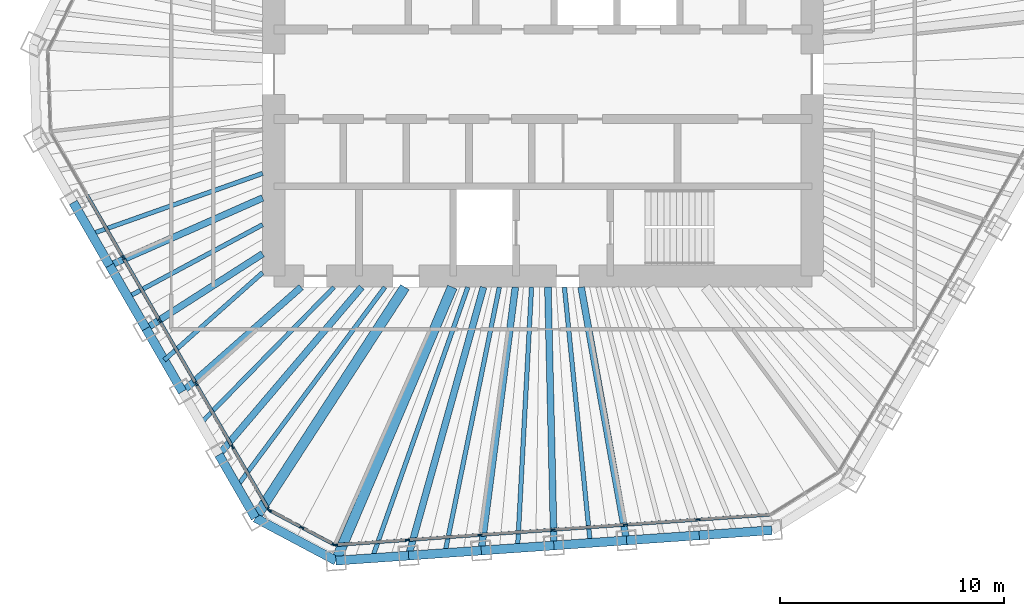
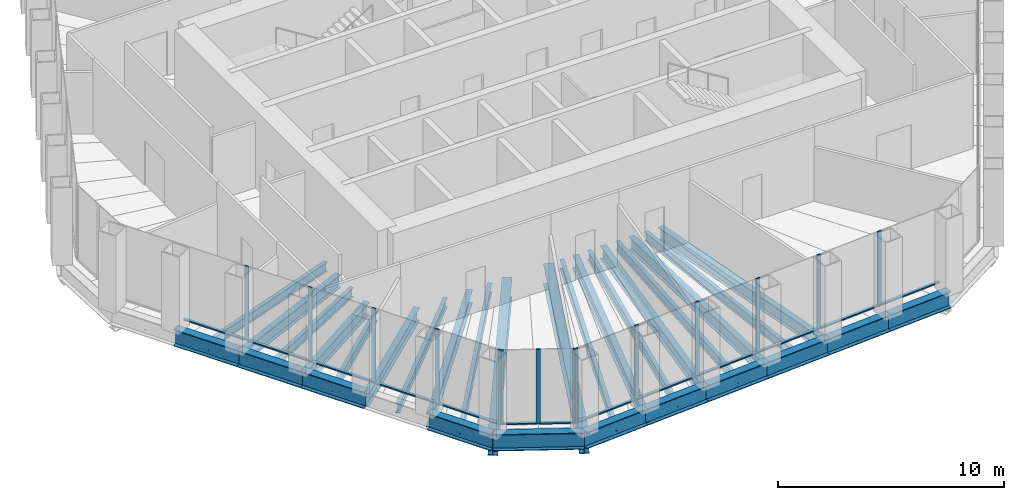
# One storey, part 2 of 14: 30 beams, 27 members, 3 elements without a shape of their own.
"""IFC4 building model written with IfcOpenShell, lengths in metres."""

from ifc_helpers import new_model, si_unit, direction, frame, origin, origin_2d, place, context, subcontext, project, spatial, rectangle, i_section, extrude, material, material_profile, profile_set, type_object, element, aggregate, save


model = new_model("IFC4")

# Units and contexts
model_context = context("Model", 3, precision=1e-05, world=origin(), true_north=direction((0.0, 1.0)))
body_context = subcontext(model_context, "Body", "Model", "MODEL_VIEW")
ifc_project = project(units=[si_unit("LENGTHUNIT", "METRE"), si_unit("AREAUNIT", "SQUARE_METRE"), si_unit("VOLUMEUNIT", "CUBIC_METRE"), si_unit("PLANEANGLEUNIT", "RADIAN"), si_unit("MASSUNIT", "GRAM", prefix="KILO")], contexts=[model_context])

# Site, building, storey
site_placement = place(None, origin())
site = spatial("IfcSite", under=ifc_project, at=site_placement, CompositionType="ELEMENT")
building_placement = place(site_placement, origin())
building = spatial("IfcBuilding", under=site, at=building_placement, Name="Qingtian Harvest Tower", CompositionType="ELEMENT")
storey_placement = place(building_placement, frame((0.0, 0.0, 278.800048828125)))
storey = spatial("IfcBuildingStorey", under=building, at=storey_placement, Name="L61", CompositionType="ELEMENT", Elevation=278.800048828125)

# Beams
ifc_material_1 = material(Name="Steel SM570MC", Category="steel")
ifc_material_profile_1 = material_profile(ifc_material_1, i_section(OverallWidth=0.449951171875, OverallDepth=1.10009765625, WebThickness=0.02197265625, FlangeThickness=0.044921875, at=origin_2d()), Name="H1100x450x22x45")
ifc_profile_set_1 = profile_set([ifc_material_profile_1], Name="Steel SM570MC")
beam_type_1 = type_object("IfcBeamType", Name="Corner floor beam FB8 H1100x450x22x45", PredefinedType="BEAM", material=ifc_profile_set_1)
beam_1_placement = place(storey_placement, frame((-9.231201171875, -21.69677734375, -0.719970703125), z_axis=(0.391497096334, 0.920179343151, 0.0), x_axis=(-0.920179343151, 0.391497096334, 0.0)))
element("IfcBeam", 1, at=beam_1_placement, inside=storey, type_object=beam_type_1, Name="Floor beam FB8 S6", PredefinedType="BEAM", context=body_context, shape_type="SweptSolid", body=[
    extrude(i_section(OverallWidth=0.449951171875, OverallDepth=1.10009765625, WebThickness=0.02197265625, FlangeThickness=0.044921875, at=origin_2d()), origin(), (0.0, 0.0, 1.0), 13.2548828125),
])
beam_2_placement = place(storey_placement, frame((-12.825439453125, -19.78564453125, -0.719970703125), z_axis=(0.543944801957, 0.83912099987, 0.0), x_axis=(-0.83912099987, 0.543944801957, 0.0)))
element("IfcBeam", 2, at=beam_2_placement, inside=storey, type_object=beam_type_1, Name="Floor beam FB8 SW0", PredefinedType="BEAM", context=body_context, shape_type="SweptSolid", body=[
    extrude(i_section(OverallWidth=0.449951171875, OverallDepth=1.10009765625, WebThickness=0.02197265625, FlangeThickness=0.044921875, at=origin_2d()), origin(), (0.0, 0.0, 1.0), 12.257568359375),
])
ifc_material_2 = material(Name="Steel SN490B", Category="steel")
ifc_material_profile_2 = material_profile(ifc_material_2, i_section(OverallWidth=0.300048828125, OverallDepth=0.699951171875, WebThickness=0.012939453125, FlangeThickness=0.02392578125, at=origin_2d()), Name="H700x300x13x24")
ifc_profile_set_2 = profile_set([ifc_material_profile_2], Name="Steel SN490B")
beam_type_2 = type_object("IfcBeamType", Name="Floor beam FB4 H700x300x13x24", PredefinedType="BEAM", material=ifc_profile_set_2)
beam_3_placement = place(storey_placement, frame((3.729248046875, -20.79052734375, -0.52001953125), z_axis=(-0.176549332285, 0.984291792747, 0.0), x_axis=(-0.984291792747, -0.176549332285, 0.0)))
element("IfcBeam", 3, at=beam_3_placement, inside=storey, type_object=beam_type_2, Name="Floor beam FB4 S2", PredefinedType="BEAM", context=body_context, shape_type="SweptSolid", body=[
    extrude(i_section(OverallWidth=0.300048828125, OverallDepth=0.699951171875, WebThickness=0.012939453125, FlangeThickness=0.02392578125, at=origin_2d()), origin(), (0.0, 0.0, 1.0), 11.470703125),
])
beam_4_placement = place(storey_placement, frame((0.489013671875, -21.01708984375, -0.52001953125), z_axis=(-0.023248050009, 0.999729727562, 0.0), x_axis=(-0.999729727562, -0.023248050009, 0.0)))
element("IfcBeam", 4, at=beam_4_placement, inside=storey, type_object=beam_type_2, Name="Floor beam FB4 S3", PredefinedType="BEAM", context=body_context, shape_type="SweptSolid", body=[
    extrude(i_section(OverallWidth=0.300048828125, OverallDepth=0.699951171875, WebThickness=0.012939453125, FlangeThickness=0.02392578125, at=origin_2d()), origin(), (0.0, 0.0, 1.0), 11.520263671875),
])
beam_5_placement = place(storey_placement, frame((-2.7509765625, -21.24365234375, -0.52001953125), z_axis=(0.128423358095, 0.991719436683, 0.0), x_axis=(-0.991719436683, 0.128423358095, 0.0)))
element("IfcBeam", 5, at=beam_5_placement, inside=storey, type_object=beam_type_2, Name="Floor beam FB4 S4", PredefinedType="BEAM", context=body_context, shape_type="SweptSolid", body=[
    extrude(i_section(OverallWidth=0.300048828125, OverallDepth=0.699951171875, WebThickness=0.012939453125, FlangeThickness=0.02392578125, at=origin_2d()), origin(), (0.0, 0.0, 1.0), 11.841796875),
])
beam_6_placement = place(storey_placement, frame((-5.9912109375, -21.47021484375, -0.52001953125), z_axis=(0.268784556761, 0.963200322906, 0.0), x_axis=(-0.963200322906, 0.268784556761, 0.0)))
element("IfcBeam", 6, at=beam_6_placement, inside=storey, type_object=beam_type_2, Name="Floor beam FB4 S5", PredefinedType="BEAM", context=body_context, shape_type="SweptSolid", body=[
    extrude(i_section(OverallWidth=0.300048828125, OverallDepth=0.699951171875, WebThickness=0.012939453125, FlangeThickness=0.02392578125, at=origin_2d()), origin(), (0.0, 0.0, 1.0), 12.427490234375),
])
beam_7_placement = place(storey_placement, frame((-14.449462890625, -16.972900390625, -0.52001953125), z_axis=(0.64823096823, 0.761443768001, 0.0), x_axis=(-0.761443768001, 0.64823096823, 0.0)))
element("IfcBeam", 7, at=beam_7_placement, inside=storey, type_object=beam_type_2, Name="Floor beam FB4 SW1", PredefinedType="BEAM", context=body_context, shape_type="SweptSolid", body=[
    extrude(i_section(OverallWidth=0.300048828125, OverallDepth=0.699951171875, WebThickness=0.012939453125, FlangeThickness=0.02392578125, at=origin_2d()), origin(), (0.0, 0.0, 1.0), 9.814208984375),
])
beam_8_placement = place(storey_placement, frame((-16.073486328125, -14.159912109375, -0.52001953125), z_axis=(0.75036921961, 0.661018936387, 0.0), x_axis=(-0.661018936387, 0.75036921961, 0.0)))
element("IfcBeam", 8, at=beam_8_placement, inside=storey, type_object=beam_type_2, Name="Floor beam FB4 SW2", PredefinedType="BEAM", context=body_context, shape_type="SweptSolid", body=[
    extrude(i_section(OverallWidth=0.300048828125, OverallDepth=0.699951171875, WebThickness=0.012939453125, FlangeThickness=0.02392578125, at=origin_2d()), origin(), (0.0, 0.0, 1.0), 7.049560546875),
])
beam_9_placement = place(storey_placement, frame((-17.697509765625, -11.34716796875, -0.52001953125), z_axis=(0.841821552392, 0.539755939225, 0.0), x_axis=(-0.539755939225, 0.841821552392, 0.0)))
element("IfcBeam", 9, at=beam_9_placement, inside=storey, type_object=beam_type_2, Name="Floor beam FB4 SW3", PredefinedType="BEAM", context=body_context, shape_type="SweptSolid", body=[
    extrude(i_section(OverallWidth=0.300048828125, OverallDepth=0.699951171875, WebThickness=0.012939453125, FlangeThickness=0.02392578125, at=origin_2d()), origin(), (0.0, 0.0, 1.0), 6.174072265625),
])
beam_10_placement = place(storey_placement, frame((-19.321533203125, -8.5341796875, -0.52001953125), z_axis=(0.914747389649, 0.404026253021, 0.0), x_axis=(-0.404026253021, 0.914747389649, 0.0)))
element("IfcBeam", 10, at=beam_10_placement, inside=storey, type_object=beam_type_2, Name="Floor beam FB4 SW4", PredefinedType="BEAM", context=body_context, shape_type="SweptSolid", body=[
    extrude(i_section(OverallWidth=0.300048828125, OverallDepth=0.699951171875, WebThickness=0.012939453125, FlangeThickness=0.02392578125, at=origin_2d()), origin(), (0.0, 0.0, 1.0), 7.457275390625),
])
ifc_material_3 = material(Name="Steel SN490B", Category="steel")
ifc_material_profile_3 = material_profile(ifc_material_3, i_section(OverallWidth=0.199951171875, OverallDepth=0.5, WebThickness=0.010009765625, FlangeThickness=0.01611328125, at=origin_2d()), Name="H500x200x10x16")
ifc_profile_set_3 = profile_set([ifc_material_profile_3], Name="Steel SN490B")
beam_type_3 = type_object("IfcBeamType", Name="Floor joist J3 H500x200x10x16", PredefinedType="JOIST", material=ifc_profile_set_3)
beam_11_placement = place(storey_placement, frame((2.109130859375, -20.90380859375, -0.420166015625), z_axis=(-0.100389444623, 0.994948219461, 0.0), x_axis=(-0.994948219461, -0.100389444623, 0.0)))
element("IfcBeam", 11, at=beam_11_placement, inside=storey, type_object=beam_type_3, Name="Floor joist J3 S2", PredefinedType="JOIST", context=body_context, shape_type="SweptSolid", body=[
    extrude(i_section(OverallWidth=0.199951171875, OverallDepth=0.5, WebThickness=0.010009765625, FlangeThickness=0.01611328125, at=origin_2d()), origin(), (0.0, 0.0, 1.0), 11.461669921875),
])
beam_12_placement = place(storey_placement, frame((-1.130859375, -21.13037109375, -0.420166015625), z_axis=(0.053431269754, 0.998571529442, 0.0), x_axis=(-0.998571529442, 0.053431269754, 0.0)))
element("IfcBeam", 12, at=beam_12_placement, inside=storey, type_object=beam_type_3, Name="Floor joist J3 S3", PredefinedType="JOIST", context=body_context, shape_type="SweptSolid", body=[
    extrude(i_section(OverallWidth=0.199951171875, OverallDepth=0.5, WebThickness=0.010009765625, FlangeThickness=0.01611328125, at=origin_2d()), origin(), (0.0, 0.0, 1.0), 11.64697265625),
])
beam_13_placement = place(storey_placement, frame((-4.37109375, -21.35693359375, -0.420166015625), z_axis=(0.20051328843, 0.979690982485, 0.0), x_axis=(-0.979690982485, 0.20051328843, 0.0)))
element("IfcBeam", 13, at=beam_13_placement, inside=storey, type_object=beam_type_3, Name="Floor joist J3 S4", PredefinedType="JOIST", context=body_context, shape_type="SweptSolid", body=[
    extrude(i_section(OverallWidth=0.199951171875, OverallDepth=0.5, WebThickness=0.010009765625, FlangeThickness=0.01611328125, at=origin_2d()), origin(), (0.0, 0.0, 1.0), 12.102783203125),
])
beam_14_placement = place(storey_placement, frame((-7.611083984375, -21.58349609375, -0.420166015625), z_axis=(0.332557973755, 0.943082814016, 0.0), x_axis=(-0.943082814016, 0.332557973755, 0.0)))
element("IfcBeam", 14, at=beam_14_placement, inside=storey, type_object=beam_type_3, Name="Floor joist J3 S5", PredefinedType="JOIST", context=body_context, shape_type="SweptSolid", body=[
    extrude(i_section(OverallWidth=0.199951171875, OverallDepth=0.5, WebThickness=0.010009765625, FlangeThickness=0.01611328125, at=origin_2d()), origin(), (0.0, 0.0, 1.0), 12.812744140625),
])
beam_15_placement = place(storey_placement, frame((-13.637451171875, -18.37939453125, -0.420166015625), z_axis=(0.59587265023, 0.80307894052, 0.0), x_axis=(-0.80307894052, 0.59587265023, 0.0)))
element("IfcBeam", 15, at=beam_15_placement, inside=storey, type_object=beam_type_3, Name="Floor joist J3 SW0", PredefinedType="JOIST", context=body_context, shape_type="SweptSolid", body=[
    extrude(i_section(OverallWidth=0.199951171875, OverallDepth=0.5, WebThickness=0.010009765625, FlangeThickness=0.01611328125, at=origin_2d()), origin(), (0.0, 0.0, 1.0), 11.056640625),
])
beam_16_placement = place(storey_placement, frame((-15.261474609375, -15.56640625, -0.420166015625), z_axis=(0.700074571426, 0.714069740602, 0.0), x_axis=(-0.714069740602, 0.700074571426, 0.0)))
element("IfcBeam", 16, at=beam_16_placement, inside=storey, type_object=beam_type_3, Name="Floor joist J3 SW1", PredefinedType="JOIST", context=body_context, shape_type="SweptSolid", body=[
    extrude(i_section(OverallWidth=0.199951171875, OverallDepth=0.5, WebThickness=0.010009765625, FlangeThickness=0.01611328125, at=origin_2d()), origin(), (0.0, 0.0, 1.0), 8.49560546875),
])
beam_17_placement = place(storey_placement, frame((-16.885498046875, -12.753662109375, -0.420166015625), z_axis=(0.746957180478, 0.664872146004, 0.0), x_axis=(-0.664872146004, 0.746957180478, 0.0)))
element("IfcBeam", 17, at=beam_17_placement, inside=storey, type_object=beam_type_3, Name="Floor joist J3 SW2", PredefinedType="JOIST", context=body_context, shape_type="SweptSolid", body=[
    extrude(i_section(OverallWidth=0.199951171875, OverallDepth=0.5, WebThickness=0.010009765625, FlangeThickness=0.01611328125, at=origin_2d()), origin(), (0.0, 0.0, 1.0), 5.87109375),
])
beam_18_placement = place(storey_placement, frame((-18.509521484375, -9.940673828125, -0.420166015625), z_axis=(0.880981997123, 0.473149786795, 0.0), x_axis=(-0.473149786795, 0.880981997123, 0.0)))
element("IfcBeam", 18, at=beam_18_placement, inside=storey, type_object=beam_type_3, Name="Floor joist J3 SW3", PredefinedType="JOIST", context=body_context, shape_type="SweptSolid", body=[
    extrude(i_section(OverallWidth=0.199951171875, OverallDepth=0.5, WebThickness=0.010009765625, FlangeThickness=0.01611328125, at=origin_2d()), origin(), (0.0, 0.0, 1.0), 6.8212890625),
])
beam_19_placement = place(storey_placement, frame((-20.133544921875, -7.1279296875, -0.420166015625), z_axis=(0.942662600818, 0.333747241215, 0.0), x_axis=(-0.333747241215, 0.942662600818, 0.0)))
element("IfcBeam", 19, at=beam_19_placement, inside=storey, type_object=beam_type_3, Name="Floor joist J3 SW4", PredefinedType="JOIST", context=body_context, shape_type="SweptSolid", body=[
    extrude(i_section(OverallWidth=0.199951171875, OverallDepth=0.5, WebThickness=0.010009765625, FlangeThickness=0.01611328125, at=origin_2d()), origin(), (0.0, 0.0, 1.0), 8.097900390625),
])

# Curtain wall, members
ifc_material_4 = material(Name="Bronze-anodised aluminium curtain wall", Category="aluminium")
curtain_wall_type = type_object("IfcCurtainWallType", Name="Curtain wall CW5 upper office", PredefinedType="USERDEFINED", material=ifc_material_4)
curtain_wall_1_placement = place(storey_placement, origin())
curtain_wall_1 = element("IfcCurtainWall", 20, at=curtain_wall_1_placement, inside=storey, type_object=curtain_wall_type, Name="Curtain wall CW5 L61 S0-5", ObjectType="RECESSED CURTAIN WALL", PredefinedType="USERDEFINED")
ifc_material_5 = material(Name="Bronze-anodised aluminium mullion", Category="aluminium")
ifc_material_profile_4 = material_profile(ifc_material_5, rectangle(XDim=0.06494140625, YDim=0.199951171875, at=origin_2d()), Name="AL 65x200")
ifc_profile_set_4 = profile_set([ifc_material_profile_4], Name="Bronze-anodised aluminium mullion")
member_type_1 = type_object("IfcMemberType", Name="Mullion CWM 65x200", PredefinedType="MULLION", material=ifc_profile_set_4)
member_1_placement = place(storey_placement, frame((6.92041015625, -19.86572265625, 0.0), z_axis=(0.0, 0.0, 1.0), x_axis=(0.069756473744, -0.99756405026, 0.0)))
member_1 = element("IfcMember", 21, at=member_1_placement, type_object=member_type_1, Name="CW5 mullion 2", PredefinedType="MULLION", context=body_context, shape_type="SweptSolid", body=[
    extrude(rectangle(XDim=0.06494140625, YDim=0.199951171875, at=origin_2d()), origin(), (0.0, 0.0, 1.0), 4.030029296875),
])
member_2_placement = place(storey_placement, frame((3.680419921875, -20.09228515625, 0.0), z_axis=(0.0, 0.0, 1.0), x_axis=(0.069756473744, -0.99756405026, 0.0)))
member_2 = element("IfcMember", 22, at=member_2_placement, type_object=member_type_1, Name="CW5 mullion 3", PredefinedType="MULLION", context=body_context, shape_type="SweptSolid", body=[
    extrude(rectangle(XDim=0.06494140625, YDim=0.199951171875, at=origin_2d()), origin(), (0.0, 0.0, 1.0), 4.030029296875),
])
member_3_placement = place(storey_placement, frame((0.440185546875, -20.31884765625, 0.0), z_axis=(0.0, 0.0, 1.0), x_axis=(0.069756473744, -0.99756405026, 0.0)))
member_3 = element("IfcMember", 23, at=member_3_placement, type_object=member_type_1, Name="CW5 mullion 4", PredefinedType="MULLION", context=body_context, shape_type="SweptSolid", body=[
    extrude(rectangle(XDim=0.06494140625, YDim=0.199951171875, at=origin_2d()), origin(), (0.0, 0.0, 1.0), 4.030029296875),
])
member_4_placement = place(storey_placement, frame((-2.7998046875, -20.54541015625, 0.0), z_axis=(0.0, 0.0, 1.0), x_axis=(0.069756473744, -0.99756405026, 0.0)))
member_4 = element("IfcMember", 24, at=member_4_placement, type_object=member_type_1, Name="CW5 mullion 5", PredefinedType="MULLION", context=body_context, shape_type="SweptSolid", body=[
    extrude(rectangle(XDim=0.06494140625, YDim=0.199951171875, at=origin_2d()), origin(), (0.0, 0.0, 1.0), 4.030029296875),
])
member_5_placement = place(storey_placement, frame((-6.0400390625, -20.77197265625, 0.0), z_axis=(0.0, 0.0, 1.0), x_axis=(0.069756473744, -0.99756405026, 0.0)))
member_5 = element("IfcMember", 25, at=member_5_placement, type_object=member_type_1, Name="CW5 mullion 6", PredefinedType="MULLION", context=body_context, shape_type="SweptSolid", body=[
    extrude(rectangle(XDim=0.06494140625, YDim=0.199951171875, at=origin_2d()), origin(), (0.0, 0.0, 1.0), 4.030029296875),
])
member_6_placement = place(storey_placement, frame((-9.24755859375, -20.996337890625, 0.0), z_axis=(0.0, 0.0, 1.0), x_axis=(0.069756473744, -0.99756405026, 0.0)))
member_6 = element("IfcMember", 26, at=member_6_placement, type_object=member_type_1, Name="CW5 mullion 7", PredefinedType="MULLION", context=body_context, shape_type="SweptSolid", body=[
    extrude(rectangle(XDim=0.06494140625, YDim=0.199951171875, at=origin_2d()), origin(), (0.0, 0.0, 1.0), 4.030029296875),
])

curtain_wall_2_placement = place(storey_placement, origin())
curtain_wall_2 = element("IfcCurtainWall", 27, at=curtain_wall_2_placement, inside=storey, type_object=curtain_wall_type, Name="Curtain wall CW5 L61 SC", ObjectType="RECESSED CURTAIN WALL", PredefinedType="USERDEFINED")
member_7_placement = place(storey_placement, frame((-9.308837890625, -20.983154296875, 0.0), z_axis=(0.0, 0.0, 1.0), x_axis=(-0.469471562786, -0.882947592859, 0.0)))
member_7 = element("IfcMember", 28, at=member_7_placement, type_object=member_type_1, Name="CW5 mullion 1", PredefinedType="MULLION", context=body_context, shape_type="SweptSolid", body=[
    extrude(rectangle(XDim=0.06494140625, YDim=0.199951171875, at=origin_2d()), origin(), (0.0, 0.0, 1.0), 4.030029296875),
])
member_8_placement = place(storey_placement, frame((-10.749755859375, -20.217041015625, 0.0), z_axis=(0.0, 0.0, 1.0), x_axis=(-0.469471562786, -0.882947592859, 0.0)))
member_8 = element("IfcMember", 29, at=member_8_placement, type_object=member_type_1, Name="CW5 mullion 2", PredefinedType="MULLION", context=body_context, shape_type="SweptSolid", body=[
    extrude(rectangle(XDim=0.06494140625, YDim=0.199951171875, at=origin_2d()), origin(), (0.0, 0.0, 1.0), 4.030029296875),
])
member_9_placement = place(storey_placement, frame((-12.1904296875, -19.450927734375, 0.0), z_axis=(0.0, 0.0, 1.0), x_axis=(-0.469471562786, -0.882947592859, 0.0)))
member_9 = element("IfcMember", 30, at=member_9_placement, type_object=member_type_1, Name="CW5 mullion 3", PredefinedType="MULLION", context=body_context, shape_type="SweptSolid", body=[
    extrude(rectangle(XDim=0.06494140625, YDim=0.199951171875, at=origin_2d()), origin(), (0.0, 0.0, 1.0), 4.030029296875),
])

curtain_wall_3_placement = place(storey_placement, origin())
curtain_wall_3 = element("IfcCurtainWall", 31, at=curtain_wall_3_placement, inside=storey, type_object=curtain_wall_type, Name="Curtain wall CW5 L61 SW0-5", ObjectType="RECESSED CURTAIN WALL", PredefinedType="USERDEFINED")
member_10_placement = place(storey_placement, frame((-12.2353515625, -19.40771484375, 0.0), z_axis=(0.0, 0.0, 1.0), x_axis=(-0.866025403784, -0.5, 0.0)))
member_10 = element("IfcMember", 32, at=member_10_placement, type_object=member_type_1, Name="CW5 mullion 1", PredefinedType="MULLION", context=body_context, shape_type="SweptSolid", body=[
    extrude(rectangle(XDim=0.06494140625, YDim=0.199951171875, at=origin_2d()), origin(), (0.0, 0.0, 1.0), 4.030029296875),
])
member_11_placement = place(storey_placement, frame((-13.84326171875, -16.622802734375, 0.0), z_axis=(0.0, 0.0, 1.0), x_axis=(-0.866025403784, -0.5, 0.0)))
member_11 = element("IfcMember", 33, at=member_11_placement, type_object=member_type_1, Name="CW5 mullion 2", PredefinedType="MULLION", context=body_context, shape_type="SweptSolid", body=[
    extrude(rectangle(XDim=0.06494140625, YDim=0.199951171875, at=origin_2d()), origin(), (0.0, 0.0, 1.0), 4.030029296875),
])
member_12_placement = place(storey_placement, frame((-15.46728515625, -13.81005859375, 0.0), z_axis=(0.0, 0.0, 1.0), x_axis=(-0.866025403784, -0.5, 0.0)))
member_12 = element("IfcMember", 34, at=member_12_placement, type_object=member_type_1, Name="CW5 mullion 3", PredefinedType="MULLION", context=body_context, shape_type="SweptSolid", body=[
    extrude(rectangle(XDim=0.06494140625, YDim=0.199951171875, at=origin_2d()), origin(), (0.0, 0.0, 1.0), 4.030029296875),
])
member_13_placement = place(storey_placement, frame((-17.09130859375, -10.9970703125, 0.0), z_axis=(0.0, 0.0, 1.0), x_axis=(-0.866025403784, -0.5, 0.0)))
member_13 = element("IfcMember", 35, at=member_13_placement, type_object=member_type_1, Name="CW5 mullion 4", PredefinedType="MULLION", context=body_context, shape_type="SweptSolid", body=[
    extrude(rectangle(XDim=0.06494140625, YDim=0.199951171875, at=origin_2d()), origin(), (0.0, 0.0, 1.0), 4.030029296875),
])
member_14_placement = place(storey_placement, frame((-18.71533203125, -8.184326171875, 0.0), z_axis=(0.0, 0.0, 1.0), x_axis=(-0.866025403784, -0.5, 0.0)))
member_14 = element("IfcMember", 36, at=member_14_placement, type_object=member_type_1, Name="CW5 mullion 5", PredefinedType="MULLION", context=body_context, shape_type="SweptSolid", body=[
    extrude(rectangle(XDim=0.06494140625, YDim=0.199951171875, at=origin_2d()), origin(), (0.0, 0.0, 1.0), 4.030029296875),
])

# Beams
ifc_material_6 = material(Name="Steel SN490B", Category="steel")
ifc_material_profile_5 = material_profile(ifc_material_6, i_section(OverallWidth=0.39990234375, OverallDepth=0.89990234375, WebThickness=0.01904296875, FlangeThickness=0.035888671875, at=origin_2d()), Name="H900x400x19x36")
ifc_profile_set_5 = profile_set([ifc_material_profile_5], Name="Steel SN490B")
beam_type_4 = type_object("IfcBeamType", Name="Spandrel beam SB4 H900x400x19x36", PredefinedType="SPANDREL", material=ifc_profile_set_5)
beam_20_placement = place(storey_placement, frame((10.20947265625, -20.33740234375, -0.449951171875), z_axis=(-0.9975644093, -0.069751339047, 0.0), x_axis=(0.069751339047, -0.9975644093, 0.0)))
element("IfcBeam", 37, at=beam_20_placement, inside=storey, type_object=beam_type_4, Name="Spandrel SB4 S0", PredefinedType="SPANDREL", context=body_context, shape_type="SweptSolid", body=[
    extrude(i_section(OverallWidth=0.39990234375, OverallDepth=0.89990234375, WebThickness=0.01904296875, FlangeThickness=0.035888671875, at=origin_2d()), origin(), (0.0, 0.0, 1.0), 3.248046875),
])
beam_21_placement = place(storey_placement, frame((6.96923828125, -20.56396484375, -0.449951171875), z_axis=(-0.997564043571, -0.069756569394, 0.0), x_axis=(0.069756569394, -0.997564043571, 0.0)))
element("IfcBeam", 38, at=beam_21_placement, inside=storey, type_object=beam_type_4, Name="Spandrel SB4 S1", PredefinedType="SPANDREL", context=body_context, shape_type="SweptSolid", body=[
    extrude(i_section(OverallWidth=0.39990234375, OverallDepth=0.89990234375, WebThickness=0.01904296875, FlangeThickness=0.035888671875, at=origin_2d()), origin(), (0.0, 0.0, 1.0), 3.247802734375),
])
beam_22_placement = place(storey_placement, frame((3.729248046875, -20.79052734375, -0.449951171875), z_axis=(-0.9975644093, -0.069751339047, 0.0), x_axis=(0.069751339047, -0.9975644093, 0.0)))
element("IfcBeam", 39, at=beam_22_placement, inside=storey, type_object=beam_type_4, Name="Spandrel SB4 S2", PredefinedType="SPANDREL", context=body_context, shape_type="SweptSolid", body=[
    extrude(i_section(OverallWidth=0.39990234375, OverallDepth=0.89990234375, WebThickness=0.01904296875, FlangeThickness=0.035888671875, at=origin_2d()), origin(), (0.0, 0.0, 1.0), 3.248046875),
])
beam_23_placement = place(storey_placement, frame((0.489013671875, -21.01708984375, -0.449951171875), z_axis=(-0.997564043571, -0.069756569394, 0.0), x_axis=(0.069756569394, -0.997564043571, 0.0)))
element("IfcBeam", 40, at=beam_23_placement, inside=storey, type_object=beam_type_4, Name="Spandrel SB4 S3", PredefinedType="SPANDREL", context=body_context, shape_type="SweptSolid", body=[
    extrude(i_section(OverallWidth=0.39990234375, OverallDepth=0.89990234375, WebThickness=0.01904296875, FlangeThickness=0.035888671875, at=origin_2d()), origin(), (0.0, 0.0, 1.0), 3.247802734375),
])
beam_24_placement = place(storey_placement, frame((-2.7509765625, -21.24365234375, -0.449951171875), z_axis=(-0.9975644093, -0.069751339047, 0.0), x_axis=(0.069751339047, -0.9975644093, 0.0)))
element("IfcBeam", 41, at=beam_24_placement, inside=storey, type_object=beam_type_4, Name="Spandrel SB4 S4", PredefinedType="SPANDREL", context=body_context, shape_type="SweptSolid", body=[
    extrude(i_section(OverallWidth=0.39990234375, OverallDepth=0.89990234375, WebThickness=0.01904296875, FlangeThickness=0.035888671875, at=origin_2d()), origin(), (0.0, 0.0, 1.0), 3.248046875),
])
beam_25_placement = place(storey_placement, frame((-5.9912109375, -21.47021484375, -0.449951171875), z_axis=(-0.997564043571, -0.069756569394, 0.0), x_axis=(0.069756569394, -0.997564043571, 0.0)))
element("IfcBeam", 42, at=beam_25_placement, inside=storey, type_object=beam_type_4, Name="Spandrel SB4 S5", PredefinedType="SPANDREL", context=body_context, shape_type="SweptSolid", body=[
    extrude(i_section(OverallWidth=0.39990234375, OverallDepth=0.89990234375, WebThickness=0.01904296875, FlangeThickness=0.035888671875, at=origin_2d()), origin(), (0.0, 0.0, 1.0), 3.247802734375),
])
beam_26_placement = place(storey_placement, frame((-9.231201171875, -21.69677734375, -0.449951171875), z_axis=(-0.882943273379, 0.469479686456, 0.0), x_axis=(-0.469479686456, -0.882943273379, 0.0)))
element("IfcBeam", 43, at=beam_26_placement, inside=storey, type_object=beam_type_4, Name="Spandrel SB4 SC", PredefinedType="SPANDREL", context=body_context, shape_type="SweptSolid", body=[
    extrude(i_section(OverallWidth=0.39990234375, OverallDepth=0.89990234375, WebThickness=0.01904296875, FlangeThickness=0.035888671875, at=origin_2d()), origin(), (0.0, 0.0, 1.0), 4.07080078125),
])
for number, where, z_axis, x_axis, name in (
    (44, (-12.825439453125, -19.78564453125, -0.449951171875), (-0.500019593356, 0.866014091259, 0.0), (-0.866014091259, -0.500019593356, 0.0), "Spandrel SB4 SW0"),
    (45, (-16.073486328125, -14.159912109375, -0.449951171875), (-0.500019593356, 0.866014091259, 0.0), (-0.866014091259, -0.500019593356, 0.0), "Spandrel SB4 SW2"),
):
    element("IfcBeam", number, at=place(storey_placement, frame(where, z_axis=z_axis, x_axis=x_axis)), inside=storey, type_object=beam_type_4, Name=name, PredefinedType="SPANDREL", context=body_context, shape_type="SweptSolid", body=[
        extrude(i_section(OverallWidth=0.39990234375, OverallDepth=0.89990234375, WebThickness=0.01904296875, FlangeThickness=0.035888671875, at=origin_2d()), origin(), (0.0, 0.0, 1.0), 3.247802734375),
    ])
beam_27_placement = place(storey_placement, frame((-17.697509765625, -11.34716796875, -0.449951171875), z_axis=(-0.499987045439, 0.866032882975, 0.0), x_axis=(-0.866032882975, -0.499987045439, 0.0)))
element("IfcBeam", 46, at=beam_27_placement, inside=storey, type_object=beam_type_4, Name="Spandrel SB4 SW3", PredefinedType="SPANDREL", context=body_context, shape_type="SweptSolid", body=[
    extrude(i_section(OverallWidth=0.39990234375, OverallDepth=0.89990234375, WebThickness=0.01904296875, FlangeThickness=0.035888671875, at=origin_2d()), origin(), (0.0, 0.0, 1.0), 3.248046875),
])
beam_28_placement = place(storey_placement, frame((-19.321533203125, -8.5341796875, -0.449951171875), z_axis=(-0.500019593356, 0.866014091259, 0.0), x_axis=(-0.866014091259, -0.500019593356, 0.0)))
element("IfcBeam", 47, at=beam_28_placement, inside=storey, type_object=beam_type_4, Name="Spandrel SB4 SW4", PredefinedType="SPANDREL", context=body_context, shape_type="SweptSolid", body=[
    extrude(i_section(OverallWidth=0.39990234375, OverallDepth=0.89990234375, WebThickness=0.01904296875, FlangeThickness=0.035888671875, at=origin_2d()), origin(), (0.0, 0.0, 1.0), 3.247802734375),
])

# Member
ifc_material_7 = material(Name="Bronze-anodised aluminium transom", Category="aluminium")
ifc_material_profile_6 = material_profile(ifc_material_7, rectangle(XDim=0.14990234375, YDim=0.06494140625, at=origin_2d()), Name="AL 65x150")
ifc_profile_set_6 = profile_set([ifc_material_profile_6], Name="Bronze-anodised aluminium transom")
member_type_2 = type_object("IfcMemberType", Name="Transom CWT 65x150", PredefinedType="USERDEFINED", material=ifc_profile_set_6)
member_15_placement = place(storey_placement, frame((10.095703125, -19.6435546875, 0.032470703125), z_axis=(-0.997564955301, -0.069743529851, 0.0), x_axis=(0.069743529851, -0.997564955301, 0.0)))
member_15 = element("IfcMember", 48, at=member_15_placement, type_object=member_type_2, Name="CW5 transom 1.1", ObjectType="TRANSOM", PredefinedType="USERDEFINED", context=body_context, shape_type="SweptSolid", body=[
    extrude(rectangle(XDim=0.14990234375, YDim=0.06494140625, at=origin_2d()), origin(), (0.0, 0.0, 1.0), 3.150390625),
])

member_16_placement = place(storey_placement, frame((6.88818359375, -19.867919921875, 0.032470703125), z_axis=(-0.997566548107, -0.069720743674, 0.0), x_axis=(0.069720743674, -0.997566548107, 0.0)))
member_16 = element("IfcMember", 49, at=member_16_placement, type_object=member_type_2, Name="CW5 transom 2.1", ObjectType="TRANSOM", PredefinedType="USERDEFINED", context=body_context, shape_type="SweptSolid", body=[
    extrude(rectangle(XDim=0.14990234375, YDim=0.06494140625, at=origin_2d()), origin(), (0.0, 0.0, 1.0), 3.18310546875),
])

member_17_placement = place(storey_placement, frame((3.64794921875, -20.094482421875, 0.032470703125), z_axis=(-0.997566548107, -0.069720743674, 0.0), x_axis=(0.069720743674, -0.997566548107, 0.0)))
member_17 = element("IfcMember", 50, at=member_17_placement, type_object=member_type_2, Name="CW5 transom 3.1", ObjectType="TRANSOM", PredefinedType="USERDEFINED", context=body_context, shape_type="SweptSolid", body=[
    extrude(rectangle(XDim=0.14990234375, YDim=0.06494140625, at=origin_2d()), origin(), (0.0, 0.0, 1.0), 3.18310546875),
])

member_18_placement = place(storey_placement, frame((0.407958984375, -20.321044921875, 0.032470703125), z_axis=(-0.997566548107, -0.069720743674, 0.0), x_axis=(0.069720743674, -0.997566548107, 0.0)))
member_18 = element("IfcMember", 51, at=member_18_placement, type_object=member_type_2, Name="CW5 transom 4.1", ObjectType="TRANSOM", PredefinedType="USERDEFINED", context=body_context, shape_type="SweptSolid", body=[
    extrude(rectangle(XDim=0.14990234375, YDim=0.06494140625, at=origin_2d()), origin(), (0.0, 0.0, 1.0), 3.18310546875),
])

member_19_placement = place(storey_placement, frame((-2.832275390625, -20.547607421875, 0.032470703125), z_axis=(-0.997561210613, -0.06979707071, 0.0), x_axis=(0.06979707071, -0.997561210613, 0.0)))
member_19 = element("IfcMember", 52, at=member_19_placement, type_object=member_type_2, Name="CW5 transom 5.1", ObjectType="TRANSOM", PredefinedType="USERDEFINED", context=body_context, shape_type="SweptSolid", body=[
    extrude(rectangle(XDim=0.14990234375, YDim=0.06494140625, at=origin_2d()), origin(), (0.0, 0.0, 1.0), 3.18310546875),
])

member_20_placement = place(storey_placement, frame((-6.072509765625, -20.774169921875, 0.032470703125), z_axis=(-0.997564955301, -0.069743529851, 0.0), x_axis=(0.069743529851, -0.997564955301, 0.0)))
member_20 = element("IfcMember", 53, at=member_20_placement, type_object=member_type_2, Name="CW5 transom 6.1", ObjectType="TRANSOM", PredefinedType="USERDEFINED", context=body_context, shape_type="SweptSolid", body=[
    extrude(rectangle(XDim=0.14990234375, YDim=0.06494140625, at=origin_2d()), origin(), (0.0, 0.0, 1.0), 3.150390625),
])

aggregate(curtain_wall_1, [member_1, member_2, member_3, member_4, member_5, member_6, member_15, member_16, member_17, member_18, member_19, member_20])

member_21_placement = place(storey_placement, frame((-9.33740234375, -20.968017578125, 0.032470703125), z_axis=(-0.882960338349, 0.46944759122, 0.0), x_axis=(-0.46944759122, -0.882960338349, 0.0)))
member_21 = element("IfcMember", 54, at=member_21_placement, type_object=member_type_2, Name="CW5 transom 1.1", ObjectType="TRANSOM", PredefinedType="USERDEFINED", context=body_context, shape_type="SweptSolid", body=[
    extrude(rectangle(XDim=0.14990234375, YDim=0.06494140625, at=origin_2d()), origin(), (0.0, 0.0, 1.0), 1.56689453125),
])

member_22_placement = place(storey_placement, frame((-10.7783203125, -20.201904296875, 0.032470703125), z_axis=(-0.882960338349, 0.46944759122, 0.0), x_axis=(-0.46944759122, -0.882960338349, 0.0)))
member_22 = element("IfcMember", 55, at=member_22_placement, type_object=member_type_2, Name="CW5 transom 2.1", ObjectType="TRANSOM", PredefinedType="USERDEFINED", context=body_context, shape_type="SweptSolid", body=[
    extrude(rectangle(XDim=0.14990234375, YDim=0.06494140625, at=origin_2d()), origin(), (0.0, 0.0, 1.0), 1.56689453125),
])

aggregate(curtain_wall_2, [member_7, member_8, member_9, member_21, member_22])

member_23_placement = place(storey_placement, frame((-12.251708984375, -19.37939453125, 0.032470703125), z_axis=(-0.50000643655, 0.866021687608, 0.0), x_axis=(-0.866021687608, -0.50000643655, 0.0)))
member_23 = element("IfcMember", 56, at=member_23_placement, type_object=member_type_2, Name="CW5 transom 1.1", ObjectType="TRANSOM", PredefinedType="USERDEFINED", context=body_context, shape_type="SweptSolid", body=[
    extrude(rectangle(XDim=0.14990234375, YDim=0.06494140625, at=origin_2d()), origin(), (0.0, 0.0, 1.0), 3.150390625),
])

member_24_placement = place(storey_placement, frame((-13.859375, -16.5947265625, 0.032470703125), z_axis=(-0.5000079448, 0.866020816803, 0.0), x_axis=(-0.866020816803, -0.5000079448, 0.0)))
member_24 = element("IfcMember", 57, at=member_24_placement, type_object=member_type_2, Name="CW5 transom 2.1", ObjectType="TRANSOM", PredefinedType="USERDEFINED", context=body_context, shape_type="SweptSolid", body=[
    extrude(rectangle(XDim=0.14990234375, YDim=0.06494140625, at=origin_2d()), origin(), (0.0, 0.0, 1.0), 3.18310546875),
])

member_25_placement = place(storey_placement, frame((-15.4833984375, -13.78173828125, 0.032470703125), z_axis=(-0.500041159108, 0.866001639258, 0.0), x_axis=(-0.866001639258, -0.500041159108, 0.0)))
member_25 = element("IfcMember", 58, at=member_25_placement, type_object=member_type_2, Name="CW5 transom 3.1", ObjectType="TRANSOM", PredefinedType="USERDEFINED", context=body_context, shape_type="SweptSolid", body=[
    extrude(rectangle(XDim=0.14990234375, YDim=0.06494140625, at=origin_2d()), origin(), (0.0, 0.0, 1.0), 3.182861328125),
])

member_26_placement = place(storey_placement, frame((-17.107421875, -10.968994140625, 0.032470703125), z_axis=(-0.5000079448, 0.866020816803, 0.0), x_axis=(-0.866020816803, -0.5000079448, 0.0)))
member_26 = element("IfcMember", 59, at=member_26_placement, type_object=member_type_2, Name="CW5 transom 4.1", ObjectType="TRANSOM", PredefinedType="USERDEFINED", context=body_context, shape_type="SweptSolid", body=[
    extrude(rectangle(XDim=0.14990234375, YDim=0.06494140625, at=origin_2d()), origin(), (0.0, 0.0, 1.0), 3.18310546875),
])

member_27_placement = place(storey_placement, frame((-18.7314453125, -8.156005859375, 0.032470703125), z_axis=(-0.5000079448, 0.866020816803, 0.0), x_axis=(-0.866020816803, -0.5000079448, 0.0)))
member_27 = element("IfcMember", 60, at=member_27_placement, type_object=member_type_2, Name="CW5 transom 5.1", ObjectType="TRANSOM", PredefinedType="USERDEFINED", context=body_context, shape_type="SweptSolid", body=[
    extrude(rectangle(XDim=0.14990234375, YDim=0.06494140625, at=origin_2d()), origin(), (0.0, 0.0, 1.0), 3.18310546875),
])

aggregate(curtain_wall_3, [member_10, member_11, member_12, member_13, member_14, member_23, member_24, member_25, member_26, member_27])

save(model, "model.ifc")
